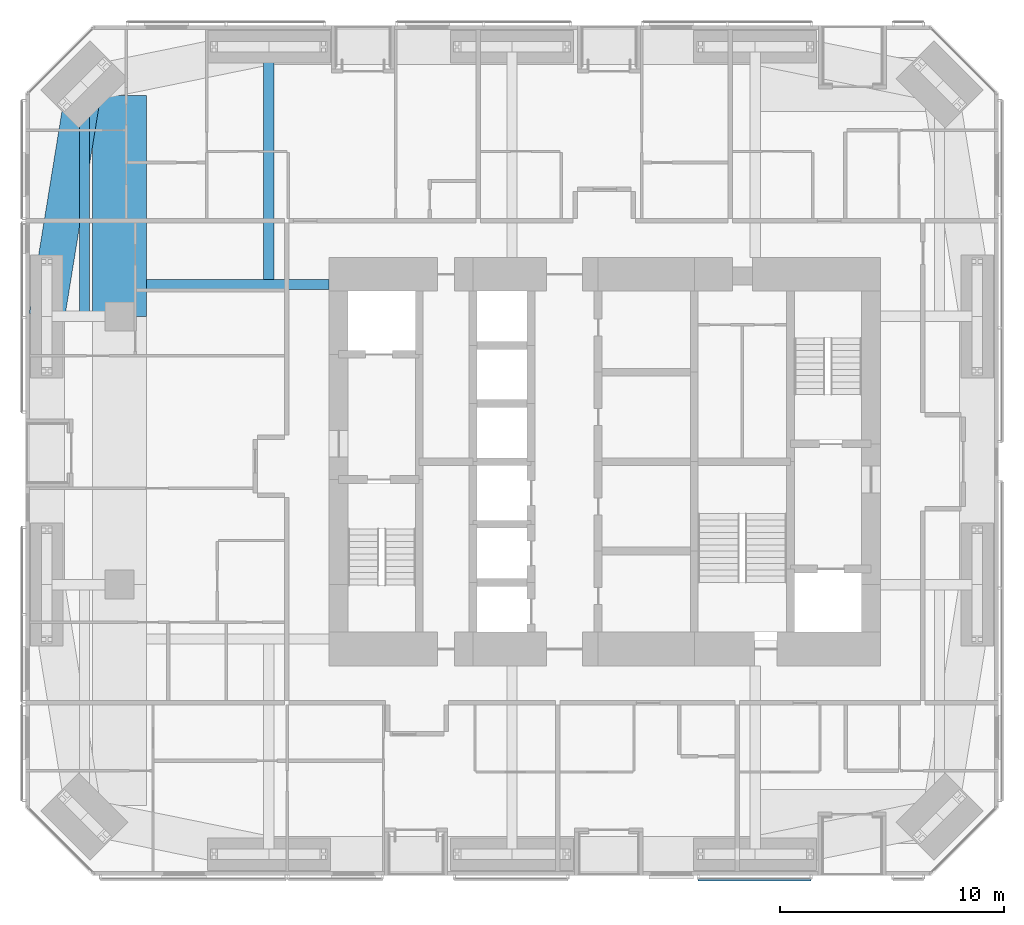
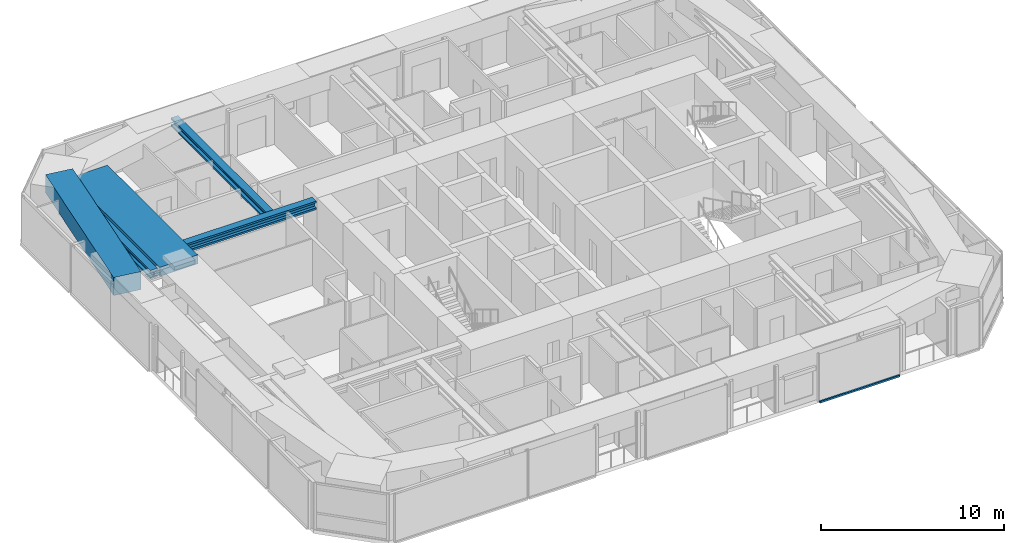
# One storey, part 7 of 24: 5 beams, 1 member, 1 element without a shape of its own.
"""IFC4 building model written with IfcOpenShell, lengths in metres."""

from ifc_helpers import new_model, si_unit, direction, frame, origin, origin_2d, place, context, subcontext, project, spatial, rectangle, i_section, extrude, material, material_profile, profile_set, type_object, element, aggregate, save


model = new_model("IFC4")

# Units and contexts
model_context = context("Model", 3, precision=1e-05, world=origin(), true_north=direction((0.0, 1.0)))
body_context = subcontext(model_context, "Body", "Model", "MODEL_VIEW")
ifc_project = project(units=[si_unit("LENGTHUNIT", "METRE"), si_unit("AREAUNIT", "SQUARE_METRE"), si_unit("VOLUMEUNIT", "CUBIC_METRE"), si_unit("PLANEANGLEUNIT", "RADIAN"), si_unit("MASSUNIT", "GRAM", prefix="KILO")], contexts=[model_context])

# Site, building, storey
site_placement = place(None, origin())
site = spatial("IfcSite", under=ifc_project, at=site_placement, CompositionType="ELEMENT")
building_placement = place(site_placement, origin())
building = spatial("IfcBuilding", under=site, at=building_placement, Name="Jalousie Tower", CompositionType="ELEMENT")
storey_placement = place(building_placement, frame((0.0, 0.0, 91.449951171875)))
storey = spatial("IfcBuildingStorey", under=building, at=storey_placement, Name="L24", CompositionType="ELEMENT", Elevation=91.449951171875)

# Beams
ifc_material_1 = material(Name="Steel ASTM A992 Grade 50", Category="steel")
ifc_material_profile_1 = material_profile(ifc_material_1, i_section(OverallWidth=0.45458984375, OverallDepth=0.569091796875, WebThickness=0.077880859375, FlangeThickness=0.124755859375, at=origin_2d()), Name="W14X730")
ifc_profile_set_1 = profile_set([ifc_material_profile_1], Name="Steel ASTM A992 Grade 50")
beam_type_1 = type_object("IfcBeamType", Name="LEAN COLLECTOR W14X730", PredefinedType="BEAM", material=ifc_profile_set_1)
beam_1_placement = place(storey_placement, frame((11.39990234375, 26.425048828125, 2.825439453125), z_axis=(1.0, 0.0, 0.0), x_axis=(0.0, 1.0, 0.0)))
element("IfcBeam", 1, at=beam_1_placement, inside=storey, type_object=beam_type_1, Name="Lean collector under L25", PredefinedType="BEAM", context=body_context, shape_type="SweptSolid", body=[
    extrude(i_section(OverallWidth=0.45458984375, OverallDepth=0.569091796875, WebThickness=0.077880859375, FlangeThickness=0.124755859375, at=origin_2d()), origin(), (0.0, 0.0, 1.0), 8.175048828125),
])
beam_2_placement = place(storey_placement, frame((8.63134765625, 35.36865234375, 2.825439453125), z_axis=(0.0, -1.0, 0.0), x_axis=(1.0, 0.0, 0.0)))
element("IfcBeam", 2, at=beam_2_placement, inside=storey, type_object=beam_type_1, Name="Lean collector under L25", PredefinedType="BEAM", context=body_context, shape_type="SweptSolid", body=[
    extrude(i_section(OverallWidth=0.45458984375, OverallDepth=0.569091796875, WebThickness=0.077880859375, FlangeThickness=0.124755859375, at=origin_2d()), origin(), (0.0, 0.0, 1.0), 10.36865234375),
])
beam_3_placement = place(storey_placement, frame((16.875, 37.050048828125, 2.825439453125), z_axis=(0.0, -1.0, 0.0), x_axis=(1.0, 0.0, 0.0)))
element("IfcBeam", 3, at=beam_3_placement, inside=storey, type_object=beam_type_1, Name="Lean collector under L25", PredefinedType="BEAM", context=body_context, shape_type="SweptSolid", body=[
    extrude(i_section(OverallWidth=0.45458984375, OverallDepth=0.569091796875, WebThickness=0.077880859375, FlangeThickness=0.124755859375, at=origin_2d()), origin(), (0.0, 0.0, 1.0), 10.625),
])
ifc_material_2 = material(Name="Concrete f'c 40 MPa", Category="concrete")
ifc_material_profile_2 = material_profile(ifc_material_2, rectangle(XDim=1.60009765625, YDim=1.199951171875, at=origin_2d()), Name="RC 1600x1200")
ifc_profile_set_2 = profile_set([ifc_material_profile_2], Name="Concrete f'c 40 MPa")
beam_type_2 = type_object("IfcBeamType", Name="RC BEAM 1600x1200", PredefinedType="BEAM", material=ifc_profile_set_2)
beam_4_placement = place(storey_placement, frame((8.63134765625, 35.36865234375, 2.75), z_axis=(-0.160070546476, -0.987105577003, 0.0), x_axis=(0.987105577003, -0.160070546476, 0.0)))
element("IfcBeam", 4, at=beam_4_placement, inside=storey, type_object=beam_type_2, Name="Edge band beam 12-13 under L25", PredefinedType="BEAM", context=body_context, shape_type="SweptSolid", body=[
    extrude(rectangle(XDim=1.60009765625, YDim=1.199951171875, at=origin_2d()), origin(), (0.0, 0.0, 1.0), 10.504150390625),
])
ifc_material_3 = material(Name="Concrete f'c 40 MPa", Category="concrete")
ifc_material_profile_3 = material_profile(ifc_material_3, rectangle(XDim=2.39990234375, YDim=0.60009765625, at=origin_2d()), Name="RC 2400x600")
ifc_profile_set_3 = profile_set([ifc_material_profile_3], Name="Concrete f'c 40 MPa")
beam_type_3 = type_object("IfcBeamType", Name="RC BEAM 2400x600", PredefinedType="BEAM", material=ifc_profile_set_3)
beam_5_placement = place(storey_placement, frame((10.199951171875, 25.0, 2.81005859375), z_axis=(0.0, 1.0, 0.0), x_axis=(-1.0, 0.0, 0.0)))
element("IfcBeam", 5, at=beam_5_placement, inside=storey, type_object=beam_type_3, Name="Floor band beam under L25", PredefinedType="BEAM", context=body_context, shape_type="SweptSolid", body=[
    extrude(rectangle(XDim=2.39990234375, YDim=0.60009765625, at=origin_2d()), origin(), (0.0, 0.0, 1.0), 9.8720703125),
])

# Curtain wall, member
ifc_material_4 = material(Name="Perforated aluminium sheet", Category="aluminium")
curtain_wall_type = type_object("IfcCurtainWallType", Name="SOLAR SCREEN SS-1", PredefinedType="USERDEFINED", material=ifc_material_4)
curtain_wall_placement = place(storey_placement, origin())
curtain_wall = element("IfcCurtainWall", 6, at=curtain_wall_placement, inside=storey, type_object=curtain_wall_type, Name="Solar screen L24", ObjectType="SOLAR SCREEN SS-1", PredefinedType="USERDEFINED")
ifc_material_5 = material(Name="Extruded aluminium screen rail", Category="aluminium")
ifc_material_profile_4 = material_profile(ifc_material_5, rectangle(XDim=0.1015625, YDim=0.1201171875, at=origin_2d()), Name="RAIL 102x120")
ifc_profile_set_4 = profile_set([ifc_material_profile_4], Name="Extruded aluminium screen rail")
member_type = type_object("IfcMemberType", Name="SOLAR SCREEN SS-1 TRANSOM", PredefinedType="USERDEFINED", material=ifc_profile_set_4)
member_placement = place(storey_placement, frame((36.074951171875, -0.1982421875, -0.06005859375), z_axis=(1.0, 0.0, 0.0), x_axis=(0.0, 1.0, 0.0)))
member = element("IfcMember", 7, at=member_placement, type_object=member_type, Name="SS1 rail", ObjectType="TRANSOM", PredefinedType="USERDEFINED", context=body_context, shape_type="SweptSolid", body=[
    extrude(rectangle(XDim=0.1015625, YDim=0.1201171875, at=origin_2d()), origin(), (0.0, 0.0, 1.0), 5.050048828125),
])
aggregate(curtain_wall, [member])

save(model, "model.ifc")
